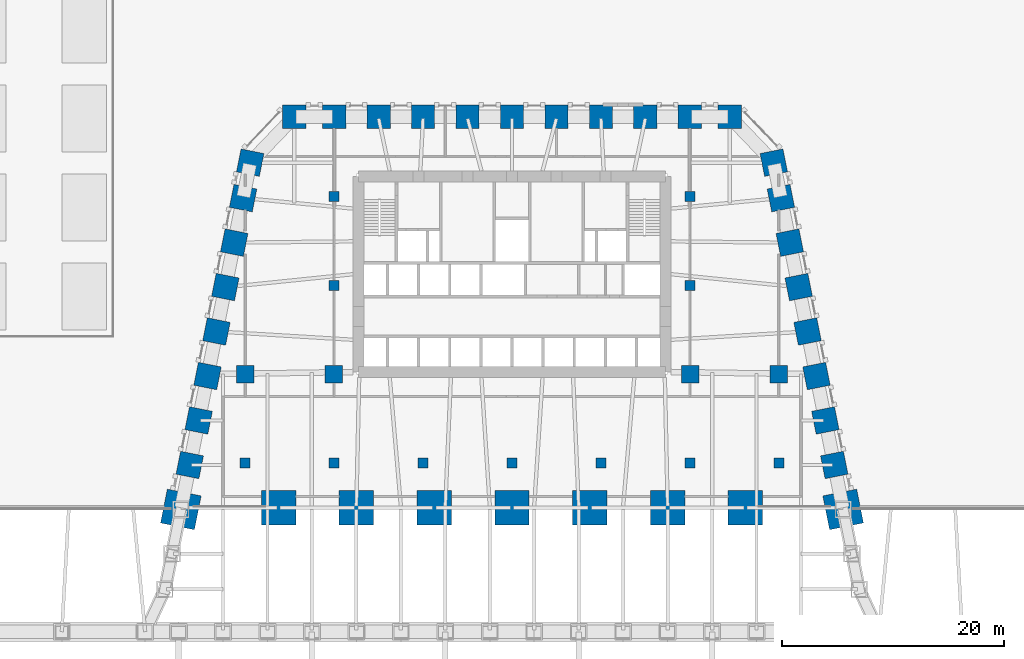
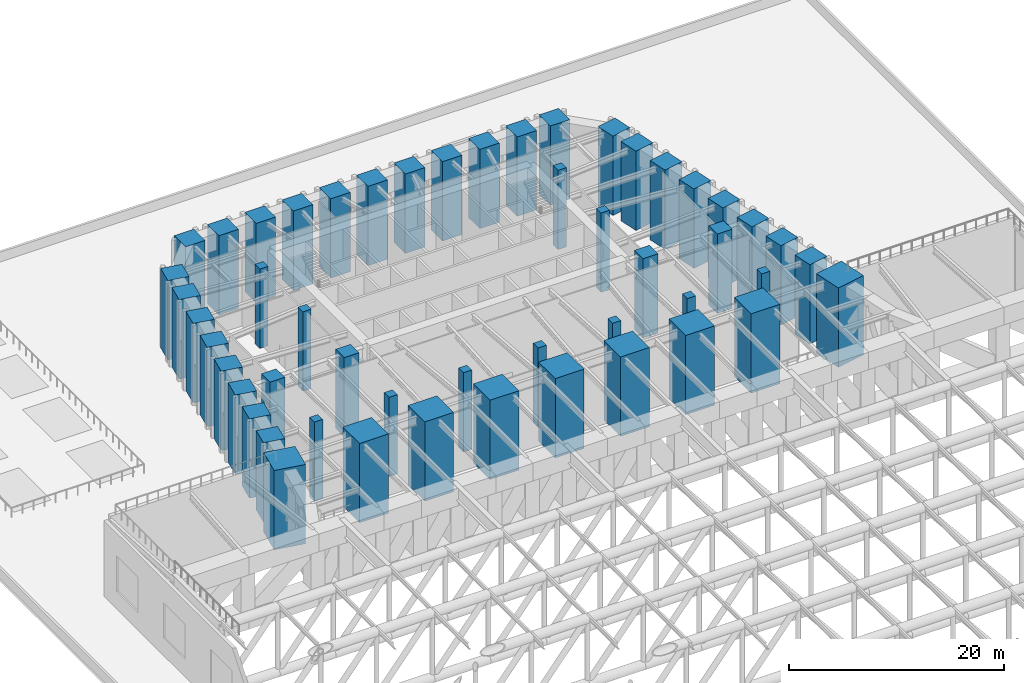
# One storey, part 1 of 20: 51 columns.
"""IFC4 building model written with IfcOpenShell, lengths in metres."""

import ifcopenshell
import ifcopenshell.guid

model = None  # the IFC model being written
_history = None  # IfcOwnerHistory: only IFC2X3 demands one
_inside = {}  # id of a spatial element -> (the spatial element, [elements in it])
_under = {}  # id of a project, library or spatial element -> (it, [spatial elements below it])
_declared = {}  # id of a project -> (the project, [libraries it declares])
_typed = {}  # id of a type object -> (the type object, [elements of that type])
_made_of = {}  # id of a material, layer set ... -> (it, [elements and type objects made of it])


def new_model(schema):
    """Start an empty IFC model of exactly this schema.

    Asked for "IFC4X3", IfcOpenShell would pick the latest addendum, in which some entities
    have other attributes; the version numbers below select the first issue.
    IFC2X3 requires an IfcOwnerHistory on every rooted entity: one is made here for all.
    """
    global model, _history
    if schema == "IFC4X3":
        model = ifcopenshell.file(schema_version=(4, 3, 0, 0))
    else:
        model = ifcopenshell.file(schema=schema)
    _inside.clear()
    _under.clear()
    _declared.clear()
    _typed.clear()
    _made_of.clear()
    _history = None
    if model.schema == "IFC2X3":
        org = make("IfcOrganization", Name="unknown")
        user = make(
            "IfcPersonAndOrganization",
            ThePerson=make("IfcPerson", FamilyName="unknown"),
            TheOrganization=org,
        )
        app = make(
            "IfcApplication",
            ApplicationDeveloper=org,
            Version="unknown",
            ApplicationFullName="unknown",
            ApplicationIdentifier="unknown",
        )
        _history = make(
            "IfcOwnerHistory",
            OwningUser=user,
            OwningApplication=app,
            ChangeAction="ADDED",
            CreationDate=0,
        )
    return model


def make(cls, **values):
    """One entity of the class cls with the attributes given. An attribute that is None is left unset."""
    return model.create_entity(
        cls, **{name: value for name, value in values.items() if value is not None}
    )


def rooted(cls, **values):
    """An entity with a GlobalId (a new one), such as an element, a storey or a relation."""
    return make(cls, GlobalId=ifcopenshell.guid.new(), OwnerHistory=_history, **values)


def si_unit(unit_type, name, prefix=None):
    """IfcSIUnit, for example si_unit("LENGTHUNIT", "METRE", prefix="MILLI")."""
    return make("IfcSIUnit", UnitType=unit_type, Prefix=prefix, Name=name)


def assignment(units):
    """IfcUnitAssignment: the units of a project."""
    return None if units is None else make("IfcUnitAssignment", Units=units)


def point(xyz):
    """IfcCartesianPoint."""
    return None if xyz is None else make("IfcCartesianPoint", Coordinates=xyz)


def direction(xyz):
    """IfcDirection."""
    return None if xyz is None else make("IfcDirection", DirectionRatios=xyz)


def frame(location, z_axis=None, x_axis=None):
    """IfcAxis2Placement3D, a coordinate frame: its origin and axes. An axis left out is left unset."""
    return make(
        "IfcAxis2Placement3D",
        Location=point(location),
        Axis=direction(z_axis),
        RefDirection=direction(x_axis),
    )


def frame_2d(location, x_axis=None):
    """IfcAxis2Placement2D, a coordinate frame in the plane: its origin and x axis."""
    return make(
        "IfcAxis2Placement2D", Location=point(location), RefDirection=direction(x_axis)
    )


def origin():
    """The frame at (0, 0, 0) with its axes left unset."""
    return frame((0.0, 0.0, 0.0))


def origin_2d():
    """The frame at (0, 0) in the plane with its x axis left unset."""
    return frame_2d((0.0, 0.0))


def place(relative_to, where):
    """IfcLocalPlacement: puts the frame where relative to a parent placement (None: the world)."""
    return make(
        "IfcLocalPlacement", PlacementRelTo=relative_to, RelativePlacement=where
    )


def context(
    kind, dimensions, precision=None, world=None, true_north=None, identifier=None
):
    """IfcGeometricRepresentationContext, for example the 3D "Model" context."""
    return make(
        "IfcGeometricRepresentationContext",
        ContextIdentifier=identifier,
        ContextType=kind,
        CoordinateSpaceDimension=dimensions,
        Precision=precision,
        WorldCoordinateSystem=world,
        TrueNorth=true_north,
    )


def subcontext(parent, identifier, kind, view, scale=None):
    """IfcGeometricRepresentationSubContext, for example "Body" below "Model"."""
    return make(
        "IfcGeometricRepresentationSubContext",
        ContextIdentifier=identifier,
        ContextType=kind,
        ParentContext=parent,
        TargetScale=scale,
        TargetView=view,
    )


def project(units=None, contexts=None):
    """IfcProject with its units and contexts."""
    return rooted(
        "IfcProject",
        Name="project",
        RepresentationContexts=contexts,
        UnitsInContext=assignment(units),
    )


def spatial(cls, under=None, at=None, **own):
    """A site, building, storey or space (cls), placed at a placement, below another one or the project."""
    s = rooted(cls, ObjectPlacement=at, **own)
    if under is not None:
        _under.setdefault(under.id(), (under, []))[1].append(s)
    return s


def profile(cls, at=None, kind="AREA", **sizes):
    """A parametric profile (cls). Its sizes go by their IFC names, for example OverallWidth=200.0."""
    return make(cls, ProfileType=kind, Position=at, **sizes)


def rectangle(**sizes):
    """IfcRectangleProfileDef."""
    return profile("IfcRectangleProfileDef", **sizes)


def extrude(swept, where, along, depth):
    """IfcExtrudedAreaSolid: the profile swept, set in the frame where, extruded along a direction by depth."""
    return make(
        "IfcExtrudedAreaSolid",
        SweptArea=swept,
        Position=where,
        ExtrudedDirection=direction(along),
        Depth=depth,
    )


def shape(context_of_items, identifier, shape_type, items):
    """IfcShapeRepresentation: the items that make up one representation, for example the "Body"."""
    return make(
        "IfcShapeRepresentation",
        ContextOfItems=context_of_items,
        RepresentationIdentifier=identifier,
        RepresentationType=shape_type,
        Items=items,
    )


def material(Name=None, Category=None):
    """IfcMaterial."""
    return make("IfcMaterial", Name=Name, Category=Category)


def material_profile(
    of_material, cross_section, Name=None, Category=None, Priority=None
):
    """IfcMaterialProfile: a cross section and its material."""
    return make(
        "IfcMaterialProfile",
        Name=Name,
        Material=of_material,
        Profile=cross_section,
        Priority=Priority,
        Category=Category,
    )


def profile_set(profiles, Name=None, composite=None):
    """IfcMaterialProfileSet."""
    return make(
        "IfcMaterialProfileSet",
        Name=Name,
        MaterialProfiles=profiles,
        CompositeProfile=composite,
    )


def made_of(thing, what):
    """Note that an element or type object is made of a material, layer set ...; save() writes the relation."""
    if what is not None:
        _made_of.setdefault(what.id(), (what, []))[1].append(thing)
    return thing


def type_object(cls, material=None, **own):
    """A type object (cls), such as IfcWallType, which elements share."""
    return made_of(rooted(cls, **own), material)


def element(
    cls,
    number,
    at=None,
    inside=None,
    cuts=None,
    type_object=None,
    material=None,
    context=None,
    identifier="Body",
    shape_type=None,
    held_by="IfcProductDefinitionShape",
    body=None,
    shapes=None,
    **own,
):
    """One element of the class cls, such as IfcWall. Its Tag is "e" and its number.

    at: its placement. inside: the storey or other place that contains it. cuts: it is an
    opening in that element (IfcRelVoidsElement). A single representation is given by context,
    identifier, shape_type and body (its items); several are given by shapes. held_by: the class
    of the entity that holds the representations. save() writes the other relations.
    """
    e = rooted(cls, Tag="e%d" % number, ObjectPlacement=at, **own)
    if body is not None:
        shapes = [shape(context, identifier, shape_type, body)]
    if shapes is not None:
        e.Representation = make(held_by, Representations=shapes)
    if inside is not None:
        _inside.setdefault(inside.id(), (inside, []))[1].append(e)
    if cuts is not None:
        rooted(
            "IfcRelVoidsElement", RelatingBuildingElement=cuts, RelatedOpeningElement=e
        )
    if type_object is not None:
        _typed.setdefault(type_object.id(), (type_object, []))[1].append(e)
    return made_of(e, material)


def aggregate(whole, parts):
    """IfcRelAggregates: a whole, such as a stair, and the parts it consists of."""
    return rooted("IfcRelAggregates", RelatingObject=whole, RelatedObjects=parts)


def save(model, path):
    """Write the relations noted so far, then the file.

    IfcRelAggregates (storeys below a building ...), IfcRelContainedInSpatialStructure (elements
    in a storey), IfcRelDefinesByType, IfcRelAssociatesMaterial and IfcRelDeclares: one each for
    every whole, place, type object, material and project.
    """
    for whole, parts in _under.values():
        aggregate(whole, parts)
    for where, things in _inside.values():
        rooted(
            "IfcRelContainedInSpatialStructure",
            RelatedElements=things,
            RelatingStructure=where,
        )
    for kind, things in _typed.values():
        rooted("IfcRelDefinesByType", RelatedObjects=things, RelatingType=kind)
    for what, things in _made_of.values():
        rooted("IfcRelAssociatesMaterial", RelatedObjects=things, RelatingMaterial=what)
    for by, libraries in _declared.values():
        rooted("IfcRelDeclares", RelatingContext=by, RelatedDefinitions=libraries)
    model.write(path)


model = new_model("IFC4")

# Units and contexts
model_context = context("Model", 3, precision=1e-05, world=origin(), true_north=direction((0.0, 1.0)))
body_context = subcontext(model_context, "Body", "Model", "MODEL_VIEW")
ifc_project = project(units=[si_unit("LENGTHUNIT", "METRE"), si_unit("AREAUNIT", "SQUARE_METRE"), si_unit("VOLUMEUNIT", "CUBIC_METRE"), si_unit("PLANEANGLEUNIT", "RADIAN"), si_unit("MASSUNIT", "GRAM", prefix="KILO")], contexts=[model_context])

# Site, building, storey
site_placement = place(None, origin())
site = spatial("IfcSite", under=ifc_project, at=site_placement, CompositionType="ELEMENT")
building_placement = place(site_placement, origin())
building = spatial("IfcBuilding", under=site, at=building_placement, Name="Isbrekke Arena Tower", CompositionType="ELEMENT")
storey_placement = place(building_placement, frame((0.0, 0.0, 19.0)))
storey = spatial("IfcBuildingStorey", under=building, at=storey_placement, Name="L03", CompositionType="ELEMENT", Elevation=19.0)

# Columns
ifc_material_1 = material(Name="Concrete B90 (C90/105)", Category="concrete")
ifc_material_profile_1 = material_profile(ifc_material_1, rectangle(XDim=2.10009765625, YDim=2.10009765625, at=origin_2d()), Name="RC 2100x2100")
ifc_profile_set_1 = profile_set([ifc_material_profile_1], Name="Concrete B90 (C90/105)")
column_type_1 = type_object("IfcColumnType", Name="C1 RC 2100 x 2100", PredefinedType="COLUMN", material=ifc_profile_set_1)
for number, where, z_axis, x_axis, name in (
    (1, (28.990966796875, -2.161865234375, 0.0), (0.0, 0.0, 1.0), (-0.196116135138, 0.980580675691, 0.0), "C1 E04"),
    (2, (28.19091796875, 1.838134765625, 0.0), (0.0, 0.0, 1.0), (-0.196116135138, 0.980580675691, 0.0), "C1 E05"),
    (3, (27.39111328125, 5.838134765625, 0.0), (0.0, 0.0, 1.0), (-0.196116135138, 0.980580675691, 0.0), "C1 E06"),
    (4, (26.591064453125, 9.838134765625, 0.0), (0.0, 0.0, 1.0), (-0.196116135138, 0.980580675691, 0.0), "C1 E07"),
    (5, (25.791015625, 13.838134765625, 0.0), (0.0, 0.0, 1.0), (-0.196116135138, 0.980580675691, 0.0), "C1 E08"),
    (6, (24.990966796875, 17.838134765625, 0.0), (0.0, 0.0, 1.0), (-0.196116135138, 0.980580675691, 0.0), "C1 E09"),
    (7, (24.19091796875, 21.838134765625, 0.0), (0.0, 0.0, 1.0), (-0.196116135138, 0.980580675691, 0.0), "C1 E10"),
    (8, (23.552734375, 25.029296875, 0.0), (0.0, 0.0, 1.0), (-0.196116135138, 0.980580675691, 0.0), "C1 E11"),
    (9, (19.574951171875, 29.175048828125, 0.0), (0.0, 0.0, 1.0), (-1.0, 0.0, 0.0), "C1 N01"),
    (10, (16.0, 29.175048828125, 0.0), (0.0, 0.0, 1.0), (-1.0, 0.0, 0.0), "C1 N02"),
    (11, (12.0, 29.175048828125, 0.0), (0.0, 0.0, 1.0), (-1.0, 0.0, 0.0), "C1 N03"),
    (12, (8.0, 29.175048828125, 0.0), (0.0, 0.0, 1.0), (-1.0, 0.0, 0.0), "C1 N04"),
    (13, (4.0, 29.175048828125, 0.0), (0.0, 0.0, 1.0), (-1.0, 0.0, 0.0), "C1 N05"),
    (14, (0.0, 29.175048828125, 0.0), (0.0, 0.0, 1.0), (-1.0, 0.0, 0.0), "C1 N06"),
    (15, (-4.0, 29.175048828125, 0.0), (0.0, 0.0, 1.0), (-1.0, 0.0, 0.0), "C1 N07"),
    (16, (-8.0, 29.175048828125, 0.0), (0.0, 0.0, 1.0), (-1.0, 0.0, 0.0), "C1 N08"),
    (17, (-12.0, 29.175048828125, 0.0), (0.0, 0.0, 1.0), (-1.0, 0.0, 0.0), "C1 N09"),
    (18, (-16.0, 29.175048828125, 0.0), (0.0, 0.0, 1.0), (-1.0, 0.0, 0.0), "C1 N10"),
    (19, (-19.574951171875, 29.175048828125, 0.0), (0.0, 0.0, 1.0), (-1.0, 0.0, 0.0), "C1 N11"),
    (20, (-23.552734375, 25.029296875, 0.0), (0.0, 0.0, 1.0), (-0.196116135138, -0.980580675691, 0.0), "C1 W01"),
    (21, (-24.19091796875, 21.838134765625, 0.0), (0.0, 0.0, 1.0), (-0.196116135138, -0.980580675691, 0.0), "C1 W02"),
    (22, (-24.990966796875, 17.838134765625, 0.0), (0.0, 0.0, 1.0), (-0.196116135138, -0.980580675691, 0.0), "C1 W03"),
    (23, (-25.791015625, 13.838134765625, 0.0), (0.0, 0.0, 1.0), (-0.196116135138, -0.980580675691, 0.0), "C1 W04"),
    (24, (-26.591064453125, 9.838134765625, 0.0), (0.0, 0.0, 1.0), (-0.196116135138, -0.980580675691, 0.0), "C1 W05"),
    (25, (-27.39111328125, 5.838134765625, 0.0), (0.0, 0.0, 1.0), (-0.196116135138, -0.980580675691, 0.0), "C1 W06"),
    (26, (-28.19091796875, 1.838134765625, 0.0), (0.0, 0.0, 1.0), (-0.196116135138, -0.980580675691, 0.0), "C1 W07"),
    (27, (-28.990966796875, -2.161865234375, 0.0), (0.0, 0.0, 1.0), (-0.196116135138, -0.980580675691, 0.0), "C1 W08"),
):
    element("IfcColumn", number, at=place(storey_placement, frame(where, z_axis=z_axis, x_axis=x_axis)), inside=storey, type_object=column_type_1, Name=name, PredefinedType="COLUMN", context=body_context, shape_type="SweptSolid", body=[
        extrude(rectangle(XDim=2.10009765625, YDim=2.10009765625, at=origin_2d()), origin(), (0.0, 0.0, 1.0), 9.0),
    ])
ifc_material_2 = material(Name="Concrete B55 (C55/67)", Category="concrete")
ifc_material_profile_2 = material_profile(ifc_material_2, rectangle(XDim=0.89990234375, YDim=0.89990234375, at=origin_2d()), Name="RC 900x900")
ifc_profile_set_2 = profile_set([ifc_material_profile_2], Name="Concrete B55 (C55/67)")
column_type_2 = type_object("IfcColumnType", Name="C16 RC 900 x 900", PredefinedType="COLUMN", material=ifc_profile_set_2)
for number, where, z_axis, x_axis, name in (
    (28, (-24.0, -2.0, 0.0), (0.0, 0.0, 1.0), (1.0, 0.0, 0.0), "C16 PJ5"),
    (29, (-16.0, -2.0, 0.0), (0.0, 0.0, 1.0), (1.0, 0.0, 0.0), "C16 PJ6"),
    (30, (-16.0, 14.0, 0.0), (0.0, 0.0, 1.0), (1.0, 0.0, 0.0), "C16 PL6"),
    (31, (-16.0, 22.0, 0.0), (0.0, 0.0, 1.0), (1.0, 0.0, 0.0), "C16 PM6"),
    (32, (-8.0, -2.0, 0.0), (0.0, 0.0, 1.0), (1.0, 0.0, 0.0), "C16 PJ7"),
    (33, (0.0, -2.0, 0.0), (0.0, 0.0, 1.0), (1.0, 0.0, 0.0), "C16 PJ8"),
    (34, (8.0, -2.0, 0.0), (0.0, 0.0, 1.0), (1.0, 0.0, 0.0), "C16 PJ9"),
    (35, (16.0, -2.0, 0.0), (0.0, 0.0, 1.0), (1.0, 0.0, 0.0), "C16 PJ10"),
    (36, (16.0, 14.0, 0.0), (0.0, 0.0, 1.0), (1.0, 0.0, 0.0), "C16 PL10"),
    (37, (16.0, 22.0, 0.0), (0.0, 0.0, 1.0), (1.0, 0.0, 0.0), "C16 PM10"),
    (38, (24.0, -2.0, 0.0), (0.0, 0.0, 1.0), (1.0, 0.0, 0.0), "C16 PJ11"),
):
    element("IfcColumn", number, at=place(storey_placement, frame(where, z_axis=z_axis, x_axis=x_axis)), inside=storey, type_object=column_type_2, Name=name, PredefinedType="COLUMN", context=body_context, shape_type="SweptSolid", body=[
        extrude(rectangle(XDim=0.89990234375, YDim=0.89990234375, at=origin_2d()), origin(), (0.0, 0.0, 1.0), 9.0),
    ])
ifc_material_3 = material(Name="Concrete B90 (C90/105)", Category="concrete")
ifc_material_profile_3 = material_profile(ifc_material_3, rectangle(XDim=3.10009765625, YDim=3.10009765625, at=origin_2d()), Name="RC 3100x3100")
ifc_profile_set_3 = profile_set([ifc_material_profile_3], Name="Concrete B90 (C90/105)")
column_type_3 = type_object("IfcColumnType", Name="C17 RC 3100 x 3100", PredefinedType="COLUMN", material=ifc_profile_set_3)
for number, where, z_axis, x_axis, name in (
    (39, (29.791015625, -6.161865234375, 0.0), (0.0, 0.0, 1.0), (-0.196116135138, 0.980580675691, 0.0), "C17 E03"),
    (40, (-29.791015625, -6.161865234375, 0.0), (0.0, 0.0, 1.0), (-0.196116135138, -0.980580675691, 0.0), "C17 W09"),
    (41, (-21.0, -6.0, 0.0), (0.0, 0.0, 1.0), (1.0, 0.0, 0.0), "C17 I01"),
    (42, (-14.0, -6.0, 0.0), (0.0, 0.0, 1.0), (1.0, 0.0, 0.0), "C17 I02"),
    (43, (-7.0, -6.0, 0.0), (0.0, 0.0, 1.0), (1.0, 0.0, 0.0), "C17 I03"),
    (44, (0.0, -6.0, 0.0), (0.0, 0.0, 1.0), (1.0, 0.0, 0.0), "C17 I04"),
    (45, (7.0, -6.0, 0.0), (0.0, 0.0, 1.0), (1.0, 0.0, 0.0), "C17 I05"),
    (46, (14.0, -6.0, 0.0), (0.0, 0.0, 1.0), (1.0, 0.0, 0.0), "C17 I06"),
    (47, (21.0, -6.0, 0.0), (0.0, 0.0, 1.0), (1.0, 0.0, 0.0), "C17 I07"),
):
    element("IfcColumn", number, at=place(storey_placement, frame(where, z_axis=z_axis, x_axis=x_axis)), inside=storey, type_object=column_type_3, Name=name, PredefinedType="COLUMN", context=body_context, shape_type="SweptSolid", body=[
        extrude(rectangle(XDim=3.10009765625, YDim=3.10009765625, at=origin_2d()), origin(), (0.0, 0.0, 1.0), 9.0),
    ])
ifc_material_4 = material(Name="Concrete B55 (C55/67)", Category="concrete")
ifc_material_profile_4 = material_profile(ifc_material_4, rectangle(XDim=1.60009765625, YDim=1.60009765625, at=origin_2d()), Name="RC 1600x1600")
ifc_profile_set_4 = profile_set([ifc_material_profile_4], Name="Concrete B55 (C55/67)")
column_type_4 = type_object("IfcColumnType", Name="C18 RC 1600 x 1600", PredefinedType="COLUMN", material=ifc_profile_set_4)
for number, where, z_axis, x_axis, name in (
    (48, (-24.0, 6.0, 0.0), (0.0, 0.0, 1.0), (1.0, 0.0, 0.0), "C18 PK5"),
    (49, (-16.030029296875, 6.0, 0.0), (0.0, 0.0, 1.0), (1.0, 0.0, 0.0), "C18 PK6"),
    (50, (16.030029296875, 6.0, 0.0), (0.0, 0.0, 1.0), (1.0, 0.0, 0.0), "C18 PK10"),
    (51, (24.0, 6.0, 0.0), (0.0, 0.0, 1.0), (1.0, 0.0, 0.0), "C18 PK11"),
):
    element("IfcColumn", number, at=place(storey_placement, frame(where, z_axis=z_axis, x_axis=x_axis)), inside=storey, type_object=column_type_4, Name=name, PredefinedType="COLUMN", context=body_context, shape_type="SweptSolid", body=[
        extrude(rectangle(XDim=1.60009765625, YDim=1.60009765625, at=origin_2d()), origin(), (0.0, 0.0, 1.0), 9.0),
    ])

save(model, "model.ifc")
